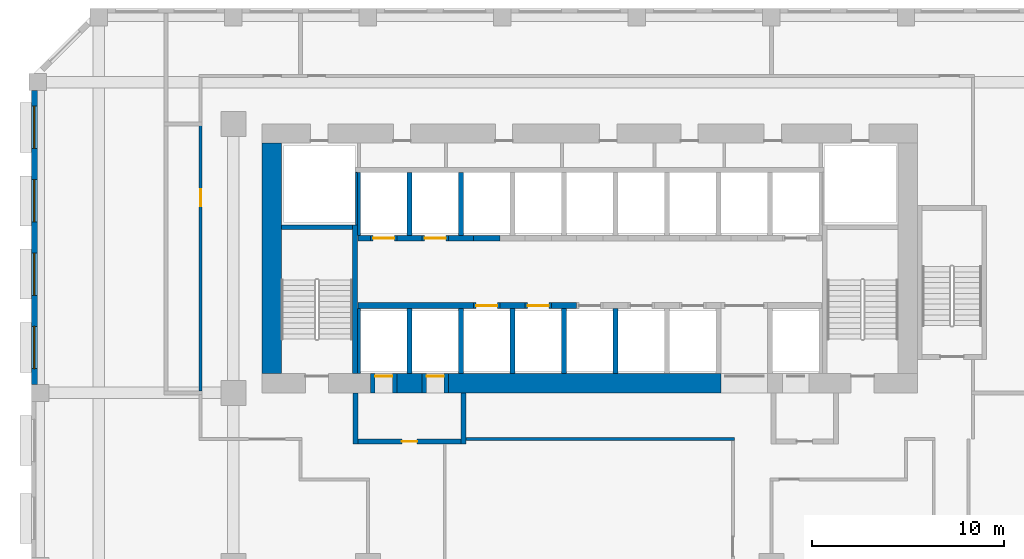
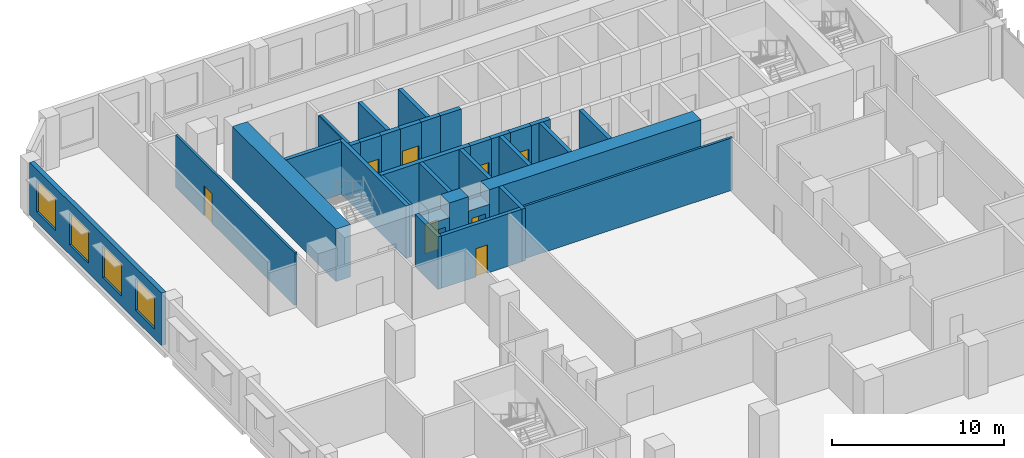
# One storey, part 12 of 24: 34 walls, 8 doors, 4 windows, 12 openings.
"""IFC4 building model written with IfcOpenShell, lengths in metres."""

from ifc_helpers import new_model, si_unit, direction, frame, frame_2d, origin, place, context, subcontext, project, spatial, rectangle, extrude, source, transform, mapped, material, layer, layer_set, type_object, element, fill, save


model = new_model("IFC4")

# Units and contexts
model_context = context("Model", 3, precision=1e-05, world=origin(), true_north=direction((0.0, 1.0)))
body_context = subcontext(model_context, "Body", "Model", "MODEL_VIEW")
ifc_project = project(units=[si_unit("LENGTHUNIT", "METRE"), si_unit("AREAUNIT", "SQUARE_METRE"), si_unit("VOLUMEUNIT", "CUBIC_METRE"), si_unit("PLANEANGLEUNIT", "RADIAN"), si_unit("MASSUNIT", "GRAM", prefix="KILO")], contexts=[model_context])

# Site, building, storey
site_placement = place(None, origin())
site = spatial("IfcSite", under=ifc_project, at=site_placement, CompositionType="ELEMENT")
building_placement = place(site_placement, origin())
building = spatial("IfcBuilding", under=site, at=building_placement, Name="Kilnfold Tower and Market Hall", CompositionType="ELEMENT")
storey_placement = place(building_placement, frame((0.0, 0.0, 35.0)))
storey = spatial("IfcBuildingStorey", under=building, at=storey_placement, Name="L07", CompositionType="ELEMENT", Elevation=35.0)

# Wall, opening, door
ifc_material_1 = material(Name="Gypsum board on steel studs", Category="steel")
ifc_layer_1 = layer(ifc_material_1, 0.14990234375)
ifc_layer_set_1 = layer_set([ifc_layer_1], Name="Gypsum board on steel studs")
wall_type_1 = type_object("IfcWallType", Name="WALL CORRIDOR 150", PredefinedType="PARTITIONING", material=ifc_layer_set_1)
wall_1_placement = place(storey_placement, frame((-19.199951171875, 8.090087890625, 0.0), z_axis=(0.0, 0.0, 1.0), x_axis=(0.0, 1.0, 0.0)))
wall_1 = element("IfcWall", 1, at=wall_1_placement, inside=storey, type_object=wall_type_1, Name="Partition LY07.34", PredefinedType="PARTITIONING", context=body_context, shape_type="SweptSolid", body=[
    extrude(rectangle(XDim=13.81982421875, YDim=0.14990234375, at=frame_2d((6.909912109375, 0.0))), origin(), (0.0, 0.0, 1.0), 3.719970703125),
])
opening_1_placement = place(wall_1_placement, frame((9.614990234375, 0.0, 0.0)))
opening_1 = element("IfcOpeningElement", 2, at=opening_1_placement, cuts=wall_1, Name="Opening D2", PredefinedType="OPENING", context=body_context, shape_type="SweptSolid", body=[
    extrude(rectangle(XDim=0.89990234375, YDim=2.10009765625, at=frame_2d((0.449951171875, 1.050048828125))), frame((0.0, 0.0849609375, 0.0), z_axis=(0.0, -1.0, 0.0), x_axis=(1.0, 0.0, 0.0)), (0.0, 0.0, 1.0), 0.169921875),
])
ifc_material_2 = material(Name="Timber veneer door leaf in steel frame", Category="steel")
door_type_1 = type_object("IfcDoorType", Name="DOOR ROOM 900 X2100", OperationType="NOTDEFINED", PredefinedType="DOOR", material=ifc_material_2)
door_1_placement = place(opening_1_placement, origin())
door_1 = element("IfcDoor", 3, at=door_1_placement, inside=storey, type_object=door_type_1, Name="Door D2", OperationType="SINGLE_SWING_RIGHT", OverallHeight=2.10009765625, OverallWidth=0.89990234375, PredefinedType="DOOR", context=body_context, shape_type="SweptSolid", body=[
    extrude(rectangle(XDim=0.89990234375, YDim=2.10009765625, at=frame_2d((0.449951171875, 1.050048828125))), frame((0.0, 0.02490234375, 0.0), z_axis=(0.0, -1.0, 0.0), x_axis=(1.0, 0.0, 0.0)), (0.0, 0.0, 1.0), 0.050048828125),
])
fill(opening_1, door_1)

# Walls
wall_2_placement = place(storey_placement, frame((-5.39990234375, 5.60009765625, 0.0), z_axis=(0.0, 0.0, 1.0), x_axis=(1.0, 0.0, 0.0)))
element("IfcWall", 4, at=wall_2_placement, inside=storey, type_object=wall_type_1, Name="Partition LY07.40", PredefinedType="PARTITIONING", context=body_context, shape_type="SweptSolid", body=[
    extrude(rectangle(XDim=13.974853515625, YDim=0.14990234375, at=frame_2d((6.9873046875, 0.0))), origin(), (0.0, 0.0, 1.0), 3.719970703125),
])
ifc_material_3 = material(Name="Concrete C80", Category="concrete")
ifc_layer_2 = layer(ifc_material_3, 1.0)
ifc_layer_set_2 = layer_set([ifc_layer_2], Name="Concrete C80")
wall_type_2 = type_object("IfcWallType", Name="CORE WALL 1000 C80", PredefinedType="SHEAR", material=ifc_layer_set_2)
shared_shape_1 = source(origin(), body_context, "Body", "SweptSolid", [
    extrude(rectangle(XDim=1.280029296875, YDim=1.0, at=frame_2d((0.64013671875, 0.0))), origin(), (0.0, 0.0, 1.0), 3.719970703125),
])
wall_3_placement = place(storey_placement, frame((-8.969970703125, 8.5, 0.0), z_axis=(0.0, 0.0, 1.0), x_axis=(1.0, 0.0, 0.0)))
element("IfcWall", 5, at=wall_3_placement, inside=storey, type_object=wall_type_2, Name="Core outer wall south", PredefinedType="SHEAR", context=body_context, shape_type="MappedRepresentation", body=[
    mapped(shared_shape_1, transform((0.0, 0.0, 0.0))),
])
shared_shape_2 = source(origin(), body_context, "Body", "SweptSolid", [
    extrude(rectangle(XDim=14.179931640625, YDim=1.0, at=frame_2d((7.08984375, 0.0))), origin(), (0.0, 0.0, 1.0), 3.719970703125),
])
wall_4_placement = place(storey_placement, frame((-6.2900390625, 8.5, 0.0), z_axis=(0.0, 0.0, 1.0), x_axis=(1.0, 0.0, 0.0)))
element("IfcWall", 6, at=wall_4_placement, inside=storey, type_object=wall_type_2, Name="Core outer wall south", PredefinedType="SHEAR", context=body_context, shape_type="MappedRepresentation", body=[
    mapped(shared_shape_2, transform((0.0, 0.0, 0.0))),
])
shared_shape_3 = source(origin(), body_context, "Body", "SweptSolid", [
    extrude(rectangle(XDim=12.0, YDim=1.0, at=frame_2d((6.0, 0.0))), origin(), (0.0, 0.0, 1.0), 3.719970703125),
])
wall_5_placement = place(storey_placement, frame((-15.5, 9.0, 0.0), z_axis=(0.0, 0.0, 1.0), x_axis=(0.0, 1.0, 0.0)))
element("IfcWall", 7, at=wall_5_placement, inside=storey, type_object=wall_type_2, Name="Core outer wall west", PredefinedType="SHEAR", context=body_context, shape_type="MappedRepresentation", body=[
    mapped(shared_shape_3, transform((0.0, 0.0, 0.0))),
])
ifc_material_4 = material(Name="Concrete C80", Category="concrete")
ifc_layer_3 = layer(ifc_material_4, 0.25)
ifc_layer_set_3 = layer_set([ifc_layer_3], Name="Concrete C80")
wall_type_3 = type_object("IfcWallType", Name="CORE WALL 250 C80", PredefinedType="SHEAR", material=ifc_layer_set_3)
shared_shape_4 = source(origin(), body_context, "Body", "SweptSolid", [
    extrude(rectangle(XDim=7.75, YDim=0.25, at=frame_2d((3.875, 0.0))), origin(), (0.0, 0.0, 1.0), 3.719970703125),
])
wall_6_placement = place(storey_placement, frame((-11.175048828125, 9.0, 0.0), z_axis=(0.0, 0.0, 1.0), x_axis=(0.0, 1.0, 0.0)))
element("IfcWall", 8, at=wall_6_placement, inside=storey, type_object=wall_type_3, Name="Stair enclosure ST1", PredefinedType="SHEAR", context=body_context, shape_type="MappedRepresentation", body=[
    mapped(shared_shape_4, transform((0.0, 0.0, 0.0))),
])
shared_shape_5 = source(origin(), body_context, "Body", "SweptSolid", [
    extrude(rectangle(XDim=3.699951171875, YDim=0.25, at=frame_2d((1.85009765625, 0.0))), origin(), (0.0, 0.0, 1.0), 3.719970703125),
])
wall_7_placement = place(storey_placement, frame((-15.0, 16.625, 0.0), z_axis=(0.0, 0.0, 1.0), x_axis=(1.0, 0.0, 0.0)))
element("IfcWall", 9, at=wall_7_placement, inside=storey, type_object=wall_type_3, Name="Stair enclosure ST1", PredefinedType="SHEAR", context=body_context, shape_type="MappedRepresentation", body=[
    mapped(shared_shape_5, transform((0.0, 0.0, 0.0))),
])
ifc_material_5 = material(Name="Concrete C80", Category="concrete")
ifc_layer_4 = layer(ifc_material_5, 0.300048828125)
ifc_layer_set_4 = layer_set([ifc_layer_4], Name="Concrete C80")
wall_type_4 = type_object("IfcWallType", Name="CORE WALL 300 C80", PredefinedType="SHEAR", material=ifc_layer_set_4)
shared_shape_6 = source(origin(), body_context, "Body", "SweptSolid", [
    extrude(rectangle(XDim=6.0, YDim=0.300048828125, at=frame_2d((3.0, 0.0))), origin(), (0.0, 0.0, 1.0), 3.719970703125),
])
wall_8_placement = place(storey_placement, frame((-11.010009765625, 12.550048828125, 0.0), z_axis=(0.0, 0.0, 1.0), x_axis=(1.0, 0.0, 0.0)))
element("IfcWall", 10, at=wall_8_placement, inside=storey, type_object=wall_type_4, Name="Core spine wall", PredefinedType="SHEAR", context=body_context, shape_type="MappedRepresentation", body=[
    mapped(shared_shape_6, transform((0.0, 0.0, 0.0))),
])
shared_shape_7 = source(origin(), body_context, "Body", "SweptSolid", [
    extrude(rectangle(XDim=1.280029296875, YDim=0.300048828125, at=frame_2d((0.64013671875, 0.0))), origin(), (0.0, 0.0, 1.0), 3.719970703125),
])
for number, where, z_axis, x_axis, name in (
    (11, (-3.610107421875, 12.550048828125, 0.0), (0.0, 0.0, 1.0), (1.0, 0.0, 0.0), "Core spine wall"),
    (12, (-0.929931640625, 12.550048828125, 0.0), (0.0, 0.0, 1.0), (1.0, 0.0, 0.0), "Core spine wall"),
    (13, (-8.969970703125, 16.050048828125, 0.0), (0.0, 0.0, 1.0), (1.0, 0.0, 0.0), "Core spine wall"),
    (14, (-6.2900390625, 16.050048828125, 0.0), (0.0, 0.0, 1.0), (1.0, 0.0, 0.0), "Core spine wall"),
):
    element("IfcWall", number, at=place(storey_placement, frame(where, z_axis=z_axis, x_axis=x_axis)), inside=storey, type_object=wall_type_4, Name=name, PredefinedType="SHEAR", context=body_context, shape_type="MappedRepresentation", body=[
        mapped(shared_shape_7, transform((0.0, 0.0, 0.0))),
    ])
shared_shape_8 = source(origin(), body_context, "Body", "SweptSolid", [
    extrude(rectangle(XDim=0.639892578125, YDim=0.300048828125, at=frame_2d((0.31982421875, 0.0))), origin(), (0.0, 0.0, 1.0), 3.719970703125),
])
wall_9_placement = place(storey_placement, frame((-11.010009765625, 16.050048828125, 0.0), z_axis=(0.0, 0.0, 1.0), x_axis=(1.0, 0.0, 0.0)))
element("IfcWall", 15, at=wall_9_placement, inside=storey, type_object=wall_type_4, Name="Core spine wall", PredefinedType="SHEAR", context=body_context, shape_type="MappedRepresentation", body=[
    mapped(shared_shape_8, transform((0.0, 0.0, 0.0))),
])

# Wall, openings, windows
ifc_material_6 = material(Name="Precast concrete C50/60", Category="concrete")
ifc_layer_5 = layer(ifc_material_6, 0.300048828125)
ifc_layer_set_5 = layer_set([ifc_layer_5], Name="Precast concrete C50/60")
wall_type_5 = type_object("IfcWallType", Name="PRECAST WALL 300", PredefinedType="SOLIDWALL", material=ifc_layer_set_5)
shared_shape_9 = source(origin(), body_context, "Body", "SweptSolid", [
    extrude(rectangle(XDim=15.28173828125, YDim=0.300048828125, at=frame_2d((7.640869140625, 0.0))), origin(), (0.0, 0.0, 1.0), 3.719970703125),
])
wall_10_placement = place(storey_placement, frame((-27.85009765625, 23.731689453125, 0.0), z_axis=(0.0, 0.0, 1.0), x_axis=(0.0, -1.0, 0.0)))
wall_10 = element("IfcWall", 16, at=wall_10_placement, inside=storey, type_object=wall_type_5, Name="External wall L07 W", PredefinedType="SOLIDWALL", context=body_context, shape_type="MappedRepresentation", body=[
    mapped(shared_shape_9, transform((0.0, 0.0, 0.0))),
])
opening_2_placement = place(wall_10_placement, frame((0.810302734375, 0.0, 0.699951171875)))
opening_2 = element("IfcOpeningElement", 17, at=opening_2_placement, cuts=wall_10, Name="Opening W1", PredefinedType="OPENING", context=body_context, shape_type="SweptSolid", body=[
    extrude(rectangle(XDim=2.199951171875, YDim=2.25, at=frame_2d((1.10009765625, 1.125))), frame((0.0, 0.16015625, 0.0), z_axis=(0.0, -1.0, 0.0), x_axis=(1.0, 0.0, 0.0)), (0.0, 0.0, 1.0), 0.320068359375),
])
opening_3_placement = place(wall_10_placement, frame((4.630615234375, 0.0, 0.699951171875)))
opening_3 = element("IfcOpeningElement", 18, at=opening_3_placement, cuts=wall_10, Name="Opening W1", PredefinedType="OPENING", context=body_context, shape_type="SweptSolid", body=[
    extrude(rectangle(XDim=2.199951171875, YDim=2.25, at=frame_2d((1.10009765625, 1.125))), frame((0.0, 0.16015625, 0.0), z_axis=(0.0, -1.0, 0.0), x_axis=(1.0, 0.0, 0.0)), (0.0, 0.0, 1.0), 0.320068359375),
])
opening_4_placement = place(wall_10_placement, frame((8.451171875, 0.0, 0.699951171875)))
opening_4 = element("IfcOpeningElement", 19, at=opening_4_placement, cuts=wall_10, Name="Opening W1", PredefinedType="OPENING", context=body_context, shape_type="SweptSolid", body=[
    extrude(rectangle(XDim=2.199951171875, YDim=2.25, at=frame_2d((1.10009765625, 1.125))), frame((0.0, 0.16015625, 0.0), z_axis=(0.0, -1.0, 0.0), x_axis=(1.0, 0.0, 0.0)), (0.0, 0.0, 1.0), 0.320068359375),
])
opening_5_placement = place(wall_10_placement, frame((12.271484375, 0.0, 0.699951171875)))
opening_5 = element("IfcOpeningElement", 20, at=opening_5_placement, cuts=wall_10, Name="Opening W1", PredefinedType="OPENING", context=body_context, shape_type="SweptSolid", body=[
    extrude(rectangle(XDim=2.199951171875, YDim=2.25, at=frame_2d((1.10009765625, 1.125))), frame((0.0, 0.16015625, 0.0), z_axis=(0.0, -1.0, 0.0), x_axis=(1.0, 0.0, 0.0)), (0.0, 0.0, 1.0), 0.320068359375),
])
ifc_material_7 = material(Name="Aluminium frame and double glazing", Category="aluminium")
window_type = type_object("IfcWindowType", Name="WINDOW W1 2200X2250", PartitioningType="SINGLE_PANEL", PredefinedType="WINDOW", material=ifc_material_7)
window_1_placement = place(opening_2_placement, origin())
window_1 = element("IfcWindow", 21, at=window_1_placement, inside=storey, type_object=window_type, Name="Window W1 L07 W-1", OverallHeight=2.25, OverallWidth=2.199951171875, PartitioningType="SINGLE_PANEL", PredefinedType="WINDOW", context=body_context, shape_type="SweptSolid", body=[
    extrude(rectangle(XDim=2.199951171875, YDim=2.25, at=frame_2d((1.10009765625, 1.125))), frame((0.0, 0.030029296875, 0.0), z_axis=(0.0, -1.0, 0.0), x_axis=(1.0, 0.0, 0.0)), (0.0, 0.0, 1.0), 0.06005859375),
])
fill(opening_2, window_1)
window_2_placement = place(opening_3_placement, origin())
window_2 = element("IfcWindow", 22, at=window_2_placement, inside=storey, type_object=window_type, Name="Window W1 L07 W-2", OverallHeight=2.25, OverallWidth=2.199951171875, PartitioningType="SINGLE_PANEL", PredefinedType="WINDOW", context=body_context, shape_type="SweptSolid", body=[
    extrude(rectangle(XDim=2.199951171875, YDim=2.25, at=frame_2d((1.10009765625, 1.125))), frame((0.0, 0.030029296875, 0.0), z_axis=(0.0, -1.0, 0.0), x_axis=(1.0, 0.0, 0.0)), (0.0, 0.0, 1.0), 0.06005859375),
])
fill(opening_3, window_2)
window_3_placement = place(opening_4_placement, origin())
window_3 = element("IfcWindow", 23, at=window_3_placement, inside=storey, type_object=window_type, Name="Window W1 L07 W-3", OverallHeight=2.25, OverallWidth=2.199951171875, PartitioningType="SINGLE_PANEL", PredefinedType="WINDOW", context=body_context, shape_type="SweptSolid", body=[
    extrude(rectangle(XDim=2.199951171875, YDim=2.25, at=frame_2d((1.10009765625, 1.125))), frame((0.0, 0.030029296875, 0.0), z_axis=(0.0, -1.0, 0.0), x_axis=(1.0, 0.0, 0.0)), (0.0, 0.0, 1.0), 0.06005859375),
])
fill(opening_4, window_3)
window_4_placement = place(opening_5_placement, origin())
window_4 = element("IfcWindow", 24, at=window_4_placement, inside=storey, type_object=window_type, Name="Window W1 L07 W-4", OverallHeight=2.25, OverallWidth=2.199951171875, PartitioningType="SINGLE_PANEL", PredefinedType="WINDOW", context=body_context, shape_type="SweptSolid", body=[
    extrude(rectangle(XDim=2.199951171875, YDim=2.25, at=frame_2d((1.10009765625, 1.125))), frame((0.0, 0.030029296875, 0.0), z_axis=(0.0, -1.0, 0.0), x_axis=(1.0, 0.0, 0.0)), (0.0, 0.0, 1.0), 0.06005859375),
])
fill(opening_5, window_4)

# Wall, opening, door
ifc_material_8 = material(Name="Gypsum shaft wall system")
ifc_layer_6 = layer(ifc_material_8, 1.0)
ifc_layer_set_6 = layer_set([ifc_layer_6], Name="Gypsum shaft wall system")
wall_type_6 = type_object("IfcWallType", Name="LOBBY WALL 1000", PredefinedType="PARTITIONING", material=ifc_layer_set_6)
shared_shape_10 = source(origin(), body_context, "Body", "SweptSolid", [
    extrude(rectangle(XDim=1.400146484375, YDim=1.0, at=frame_2d((0.7001953125, 0.0))), origin(), (0.0, 0.0, 1.0), 2.699951171875),
])
wall_11_placement = place(storey_placement, frame((-10.3701171875, 8.5, 0.0), z_axis=(0.0, 0.0, 1.0), x_axis=(1.0, 0.0, 0.0)))
wall_11 = element("IfcWall", 25, at=wall_11_placement, inside=storey, type_object=wall_type_6, Name="Core wall infill", PredefinedType="PARTITIONING", context=body_context, shape_type="MappedRepresentation", body=[
    mapped(shared_shape_10, transform((0.0, 0.0, 0.0))),
])
opening_6_placement = place(wall_11_placement, frame((0.25, 0.0, 0.0)))
opening_6 = element("IfcOpeningElement", 26, at=opening_6_placement, cuts=wall_11, Name="Opening LD1", PredefinedType="OPENING", context=body_context, shape_type="SweptSolid", body=[
    extrude(rectangle(XDim=0.89990234375, YDim=2.10009765625, at=frame_2d((0.449951171875, 1.050048828125))), frame((0.0, 0.510009765625, 0.0), z_axis=(0.0, -1.0, 0.0), x_axis=(1.0, 0.0, 0.0)), (0.0, 0.0, 1.0), 1.02001953125),
])
ifc_material_9 = material(Name="Steel door set with fire-resisting leaf", Category="steel")
door_type_2 = type_object("IfcDoorType", Name="FIREFIGHTING LANDING DOOR 900X2100", OperationType="NOTDEFINED", PredefinedType="DOOR", material=ifc_material_9)
door_2_placement = place(opening_6_placement, origin())
door_2 = element("IfcDoor", 27, at=door_2_placement, inside=storey, type_object=door_type_2, Name="Landing door FF1", OperationType="SLIDING_TO_LEFT", OverallHeight=2.10009765625, OverallWidth=0.89990234375, PredefinedType="DOOR", context=body_context, shape_type="SweptSolid", body=[
    extrude(rectangle(XDim=0.89990234375, YDim=2.10009765625, at=frame_2d((0.449951171875, 1.050048828125))), frame((0.0, 0.40478515625, 0.0), z_axis=(0.0, -1.0, 0.0), x_axis=(1.0, 0.0, 0.0)), (0.0, 0.0, 1.0), 0.050048828125),
])
fill(opening_6, door_2)

shared_shape_11 = source(origin(), body_context, "Body", "SweptSolid", [
    extrude(rectangle(XDim=1.39990234375, YDim=1.0, at=frame_2d((0.699951171875, 0.0))), origin(), (0.0, 0.0, 1.0), 2.699951171875),
])
wall_12_placement = place(storey_placement, frame((-7.68994140625, 8.5, 0.0), z_axis=(0.0, 0.0, 1.0), x_axis=(1.0, 0.0, 0.0)))
wall_12 = element("IfcWall", 28, at=wall_12_placement, inside=storey, type_object=wall_type_6, Name="Core wall infill", PredefinedType="PARTITIONING", context=body_context, shape_type="MappedRepresentation", body=[
    mapped(shared_shape_11, transform((0.0, 0.0, 0.0))),
])
opening_7_placement = place(wall_12_placement, frame((0.25, 0.0, 0.0)))
opening_7 = element("IfcOpeningElement", 29, at=opening_7_placement, cuts=wall_12, Name="Opening LD1", PredefinedType="OPENING", context=body_context, shape_type="SweptSolid", body=[
    extrude(rectangle(XDim=0.89990234375, YDim=2.10009765625, at=frame_2d((0.449951171875, 1.050048828125))), frame((0.0, 0.510009765625, 0.0), z_axis=(0.0, -1.0, 0.0), x_axis=(1.0, 0.0, 0.0)), (0.0, 0.0, 1.0), 1.02001953125),
])
door_3_placement = place(opening_7_placement, origin())
door_3 = element("IfcDoor", 30, at=door_3_placement, inside=storey, type_object=door_type_2, Name="Landing door FF2", OperationType="SLIDING_TO_RIGHT", OverallHeight=2.10009765625, OverallWidth=0.89990234375, PredefinedType="DOOR", context=body_context, shape_type="SweptSolid", body=[
    extrude(rectangle(XDim=0.89990234375, YDim=2.10009765625, at=frame_2d((0.449951171875, 1.050048828125))), frame((0.0, 0.40478515625, 0.0), z_axis=(0.0, -1.0, 0.0), x_axis=(1.0, 0.0, 0.0)), (0.0, 0.0, 1.0), 0.050048828125),
])
fill(opening_7, door_3)

ifc_material_10 = material(Name="Gypsum shaft wall system")
ifc_layer_7 = layer(ifc_material_10, 0.300048828125)
ifc_layer_set_7 = layer_set([ifc_layer_7], Name="Gypsum shaft wall system")
wall_type_7 = type_object("IfcWallType", Name="SHAFT WALL 300", PredefinedType="PARTITIONING", material=ifc_layer_set_7)
shared_shape_12 = source(origin(), body_context, "Body", "SweptSolid", [
    extrude(rectangle(XDim=1.39990234375, YDim=0.300048828125, at=frame_2d((0.699951171875, 0.0))), origin(), (0.0, 0.0, 1.0), 3.719970703125),
])
wall_13_placement = place(storey_placement, frame((-5.010009765625, 12.550048828125, 0.0), z_axis=(0.0, 0.0, 1.0), x_axis=(1.0, 0.0, 0.0)))
wall_13 = element("IfcWall", 31, at=wall_13_placement, inside=storey, type_object=wall_type_7, Name="Lift shaft front wall", PredefinedType="PARTITIONING", context=body_context, shape_type="MappedRepresentation", body=[
    mapped(shared_shape_12, transform((0.0, 0.0, 0.0))),
])
opening_8_placement = place(wall_13_placement, frame((0.14990234375, 0.0, 0.0)))
opening_8 = element("IfcOpeningElement", 32, at=opening_8_placement, cuts=wall_13, Name="Opening LD2", PredefinedType="OPENING", context=body_context, shape_type="SweptSolid", body=[
    extrude(rectangle(XDim=1.10009765625, YDim=2.10009765625, at=frame_2d((0.550048828125, 1.050048828125))), frame((0.0, 0.16015625, 0.0), z_axis=(0.0, -1.0, 0.0), x_axis=(1.0, 0.0, 0.0)), (0.0, 0.0, 1.0), 0.320068359375),
])
ifc_material_11 = material(Name="Steel door set with fire-resisting leaf", Category="steel")
door_type_3 = type_object("IfcDoorType", Name="LANDING DOOR 1100X2100", OperationType="NOTDEFINED", PredefinedType="DOOR", material=ifc_material_11)
door_4_placement = place(opening_8_placement, origin())
door_4 = element("IfcDoor", 33, at=door_4_placement, inside=storey, type_object=door_type_3, Name="Landing door LR1", OperationType="DOUBLE_DOOR_SLIDING", OverallHeight=2.10009765625, OverallWidth=1.10009765625, PredefinedType="DOOR", context=body_context, shape_type="SweptSolid", body=[
    extrude(rectangle(XDim=1.10009765625, YDim=2.10009765625, at=frame_2d((0.550048828125, 1.050048828125))), frame((0.0, 0.02490234375, 0.0), z_axis=(0.0, -1.0, 0.0), x_axis=(1.0, 0.0, 0.0)), (0.0, 0.0, 1.0), 0.050048828125),
])
fill(opening_8, door_4)

wall_14_placement = place(storey_placement, frame((-7.68994140625, 16.050048828125, 0.0), z_axis=(0.0, 0.0, 1.0), x_axis=(1.0, 0.0, 0.0)))
wall_14 = element("IfcWall", 34, at=wall_14_placement, inside=storey, type_object=wall_type_7, Name="Lift shaft front wall", PredefinedType="PARTITIONING", context=body_context, shape_type="MappedRepresentation", body=[
    mapped(shared_shape_12, transform((0.0, 0.0, 0.0))),
])
opening_9_placement = place(wall_14_placement, frame((0.14990234375, 0.0, 0.0)))
opening_9 = element("IfcOpeningElement", 35, at=opening_9_placement, cuts=wall_14, Name="Opening LD2", PredefinedType="OPENING", context=body_context, shape_type="SweptSolid", body=[
    extrude(rectangle(XDim=1.10009765625, YDim=2.10009765625, at=frame_2d((0.550048828125, 1.050048828125))), frame((0.0, 0.16015625, 0.0), z_axis=(0.0, -1.0, 0.0), x_axis=(1.0, 0.0, 0.0)), (0.0, 0.0, 1.0), 0.320068359375),
])
door_5_placement = place(opening_9_placement, origin())
door_5 = element("IfcDoor", 36, at=door_5_placement, inside=storey, type_object=door_type_3, Name="Landing door LR8", OperationType="DOUBLE_DOOR_SLIDING", OverallHeight=2.10009765625, OverallWidth=1.10009765625, PredefinedType="DOOR", context=body_context, shape_type="SweptSolid", body=[
    extrude(rectangle(XDim=1.10009765625, YDim=2.10009765625, at=frame_2d((0.550048828125, 1.050048828125))), frame((0.0, 0.02490234375, 0.0), z_axis=(0.0, -1.0, 0.0), x_axis=(1.0, 0.0, 0.0)), (0.0, 0.0, 1.0), 0.050048828125),
])
fill(opening_9, door_5)

# Wall
wall_15_placement = place(storey_placement, frame((-5.010009765625, 16.050048828125, 0.0), z_axis=(0.0, 0.0, 1.0), x_axis=(1.0, 0.0, 0.0)))
element("IfcWall", 37, at=wall_15_placement, inside=storey, type_object=wall_type_7, Name="Lift shaft front wall", PredefinedType="PARTITIONING", context=body_context, shape_type="MappedRepresentation", body=[
    mapped(shared_shape_12, transform((0.0, 0.0, 0.0))),
])

# Wall, opening, door
shared_shape_13 = source(origin(), body_context, "Body", "SweptSolid", [
    extrude(rectangle(XDim=1.400146484375, YDim=0.300048828125, at=frame_2d((0.7001953125, 0.0))), origin(), (0.0, 0.0, 1.0), 3.719970703125),
])
wall_16_placement = place(storey_placement, frame((-2.330078125, 12.550048828125, 0.0), z_axis=(0.0, 0.0, 1.0), x_axis=(1.0, 0.0, 0.0)))
wall_16 = element("IfcWall", 38, at=wall_16_placement, inside=storey, type_object=wall_type_7, Name="Lift shaft front wall", PredefinedType="PARTITIONING", context=body_context, shape_type="MappedRepresentation", body=[
    mapped(shared_shape_13, transform((0.0, 0.0, 0.0))),
])
opening_10_placement = place(wall_16_placement, frame((0.14990234375, 0.0, 0.0)))
opening_10 = element("IfcOpeningElement", 39, at=opening_10_placement, cuts=wall_16, Name="Opening LD2", PredefinedType="OPENING", context=body_context, shape_type="SweptSolid", body=[
    extrude(rectangle(XDim=1.10009765625, YDim=2.10009765625, at=frame_2d((0.550048828125, 1.050048828125))), frame((0.0, 0.16015625, 0.0), z_axis=(0.0, -1.0, 0.0), x_axis=(1.0, 0.0, 0.0)), (0.0, 0.0, 1.0), 0.320068359375),
])
door_6_placement = place(opening_10_placement, origin())
door_6 = element("IfcDoor", 40, at=door_6_placement, inside=storey, type_object=door_type_3, Name="Landing door LR2", OperationType="DOUBLE_DOOR_SLIDING", OverallHeight=2.10009765625, OverallWidth=1.10009765625, PredefinedType="DOOR", context=body_context, shape_type="SweptSolid", body=[
    extrude(rectangle(XDim=1.10009765625, YDim=2.10009765625, at=frame_2d((0.550048828125, 1.050048828125))), frame((0.0, 0.02490234375, 0.0), z_axis=(0.0, -1.0, 0.0), x_axis=(1.0, 0.0, 0.0)), (0.0, 0.0, 1.0), 0.050048828125),
])
fill(opening_10, door_6)

wall_17_placement = place(storey_placement, frame((-10.3701171875, 16.050048828125, 0.0), z_axis=(0.0, 0.0, 1.0), x_axis=(1.0, 0.0, 0.0)))
wall_17 = element("IfcWall", 41, at=wall_17_placement, inside=storey, type_object=wall_type_7, Name="Lift shaft front wall", PredefinedType="PARTITIONING", context=body_context, shape_type="MappedRepresentation", body=[
    mapped(shared_shape_13, transform((0.0, 0.0, 0.0))),
])
opening_11_placement = place(wall_17_placement, frame((0.14990234375, 0.0, 0.0)))
opening_11 = element("IfcOpeningElement", 42, at=opening_11_placement, cuts=wall_17, Name="Opening LD2", PredefinedType="OPENING", context=body_context, shape_type="SweptSolid", body=[
    extrude(rectangle(XDim=1.10009765625, YDim=2.10009765625, at=frame_2d((0.550048828125, 1.050048828125))), frame((0.0, 0.16015625, 0.0), z_axis=(0.0, -1.0, 0.0), x_axis=(1.0, 0.0, 0.0)), (0.0, 0.0, 1.0), 0.320068359375),
])
door_7_placement = place(opening_11_placement, origin())
door_7 = element("IfcDoor", 43, at=door_7_placement, inside=storey, type_object=door_type_3, Name="Landing door LR7", OperationType="DOUBLE_DOOR_SLIDING", OverallHeight=2.10009765625, OverallWidth=1.10009765625, PredefinedType="DOOR", context=body_context, shape_type="SweptSolid", body=[
    extrude(rectangle(XDim=1.10009765625, YDim=2.10009765625, at=frame_2d((0.550048828125, 1.050048828125))), frame((0.0, 0.02490234375, 0.0), z_axis=(0.0, -1.0, 0.0), x_axis=(1.0, 0.0, 0.0)), (0.0, 0.0, 1.0), 0.050048828125),
])
fill(opening_11, door_7)

# Walls
ifc_material_12 = material(Name="Gypsum shaft wall system")
ifc_layer_8 = layer(ifc_material_12, 0.25)
ifc_layer_set_8 = layer_set([ifc_layer_8], Name="Gypsum shaft wall system")
wall_type_8 = type_object("IfcWallType", Name="LOBBY WALL 250", PredefinedType="PARTITIONING", material=ifc_layer_set_8)
shared_shape_14 = source(origin(), body_context, "Body", "SweptSolid", [
    extrude(rectangle(XDim=2.64990234375, YDim=0.25, at=frame_2d((1.324951171875, 0.0))), origin(), (0.0, 0.0, 1.0), 3.719970703125),
])
for number, where, z_axis, x_axis, name in (
    (44, (-11.135009765625, 5.35009765625, 0.0), (0.0, 0.0, 1.0), (0.0, 1.0, 0.0), "Firefighting lobby wall"),
    (45, (-5.52490234375, 5.35009765625, 0.0), (0.0, 0.0, 1.0), (0.0, 1.0, 0.0), "Firefighting lobby wall"),
):
    element("IfcWall", number, at=place(storey_placement, frame(where, z_axis=z_axis, x_axis=x_axis)), inside=storey, type_object=wall_type_8, Name=name, PredefinedType="PARTITIONING", context=body_context, shape_type="MappedRepresentation", body=[
        mapped(shared_shape_14, transform((0.0, 0.0, 0.0))),
    ])

# Wall, opening, door
shared_shape_15 = source(origin(), body_context, "Body", "SweptSolid", [
    extrude(rectangle(XDim=5.360107421875, YDim=0.25, at=frame_2d((2.68017578125, 0.0))), origin(), (0.0, 0.0, 1.0), 3.719970703125),
])
wall_18_placement = place(storey_placement, frame((-11.010009765625, 5.47509765625, 0.0), z_axis=(0.0, 0.0, 1.0), x_axis=(1.0, 0.0, 0.0)))
wall_18 = element("IfcWall", 46, at=wall_18_placement, inside=storey, type_object=wall_type_8, Name="Firefighting lobby wall", PredefinedType="PARTITIONING", context=body_context, shape_type="MappedRepresentation", body=[
    mapped(shared_shape_15, transform((0.0, 0.0, 0.0))),
])
opening_12_placement = place(wall_18_placement, frame((2.280029296875, 0.0, 0.0)))
opening_12 = element("IfcOpeningElement", 47, at=opening_12_placement, cuts=wall_18, Name="Opening VD1", PredefinedType="OPENING", context=body_context, shape_type="SweptSolid", body=[
    extrude(rectangle(XDim=0.800048828125, YDim=2.0, at=frame_2d((0.39990234375, 1.0))), frame((0.0, 0.135009765625, 0.0), z_axis=(0.0, -1.0, 0.0), x_axis=(1.0, 0.0, 0.0)), (0.0, 0.0, 1.0), 0.27001953125),
])
ifc_material_13 = material(Name="Steel door set with fire-resisting leaf", Category="steel")
door_type_4 = type_object("IfcDoorType", Name="FIREFIGHTING LOBBY DOOR 800X2000", OperationType="NOTDEFINED", PredefinedType="DOOR", material=ifc_material_13)
door_8_placement = place(opening_12_placement, origin())
door_8 = element("IfcDoor", 48, at=door_8_placement, inside=storey, type_object=door_type_4, Name="Firefighting lobby door", OperationType="SINGLE_SWING_LEFT", OverallHeight=2.0, OverallWidth=0.800048828125, PredefinedType="DOOR", context=body_context, shape_type="SweptSolid", body=[
    extrude(rectangle(XDim=0.800048828125, YDim=2.0, at=frame_2d((0.39990234375, 1.0))), frame((0.0, 0.02490234375, 0.0), z_axis=(0.0, -1.0, 0.0), x_axis=(1.0, 0.0, 0.0)), (0.0, 0.0, 1.0), 0.050048828125),
])
fill(opening_12, door_8)

# Walls
ifc_material_14 = material(Name="Gypsum shaft wall system")
ifc_layer_9 = layer(ifc_material_14, 0.1650390625)
ifc_layer_set_9 = layer_set([ifc_layer_9], Name="Gypsum shaft wall system")
wall_type_9 = type_object("IfcWallType", Name="SHAFT WALL 165", PredefinedType="PARTITIONING", material=ifc_layer_set_9)
shared_shape_16 = source(origin(), body_context, "Body", "SweptSolid", [
    extrude(rectangle(XDim=3.275146484375, YDim=0.1650390625, at=frame_2d((1.6376953125, 0.0))), origin(), (0.0, 0.0, 1.0), 3.719970703125),
])
wall_19_placement = place(storey_placement, frame((-10.967529296875, 16.199951171875, 0.0), z_axis=(0.0, 0.0, 1.0), x_axis=(0.0, 1.0, 0.0)))
element("IfcWall", 49, at=wall_19_placement, inside=storey, type_object=wall_type_9, Name="Lift shaft wall", PredefinedType="PARTITIONING", context=body_context, shape_type="MappedRepresentation", body=[
    mapped(shared_shape_16, transform((0.0, 0.0, 0.0))),
])
ifc_material_15 = material(Name="Gypsum shaft wall system")
ifc_layer_10 = layer(ifc_material_15, 0.25)
ifc_layer_set_10 = layer_set([ifc_layer_10], Name="Gypsum shaft wall system")
wall_type_10 = type_object("IfcWallType", Name="SHAFT WALL 250", PredefinedType="PARTITIONING", material=ifc_layer_set_10)
shared_shape_17 = source(origin(), body_context, "Body", "SweptSolid", [
    extrude(rectangle(XDim=3.275146484375, YDim=0.25, at=frame_2d((1.6376953125, 0.0))), origin(), (0.0, 0.0, 1.0), 3.719970703125),
])
for number, where, z_axis, x_axis, name in (
    (50, (-5.64990234375, 16.199951171875, 0.0), (0.0, 0.0, 1.0), (0.0, 1.0, 0.0), "Lift shaft wall"),
    (51, (-8.330078125, 16.199951171875, 0.0), (0.0, 0.0, 1.0), (0.0, 1.0, 0.0), "Lift shaft wall"),
):
    element("IfcWall", number, at=place(storey_placement, frame(where, z_axis=z_axis, x_axis=x_axis)), inside=storey, type_object=wall_type_10, Name=name, PredefinedType="PARTITIONING", context=body_context, shape_type="MappedRepresentation", body=[
        mapped(shared_shape_17, transform((0.0, 0.0, 0.0))),
    ])
ifc_material_16 = material(Name="Gypsum shaft wall system")
ifc_layer_11 = layer(ifc_material_16, 0.0849609375)
ifc_layer_set_11 = layer_set([ifc_layer_11], Name="Gypsum shaft wall system")
wall_type_11 = type_object("IfcWallType", Name="SHAFT WALL 85", PredefinedType="PARTITIONING", material=ifc_layer_set_11)
shared_shape_18 = source(origin(), body_context, "Body", "SweptSolid", [
    extrude(rectangle(XDim=2.72509765625, YDim=0.0849609375, at=frame_2d((1.362548828125, 0.0))), origin(), (0.0, 0.0, 1.0), 3.719970703125),
])
wall_20_placement = place(storey_placement, frame((-11.092529296875, 16.75, 0.0), z_axis=(0.0, 0.0, 1.0), x_axis=(0.0, 1.0, 0.0)))
element("IfcWall", 52, at=wall_20_placement, inside=storey, type_object=wall_type_11, Name="Lift shaft wall", PredefinedType="PARTITIONING", context=body_context, shape_type="MappedRepresentation", body=[
    mapped(shared_shape_18, transform((0.0, 0.0, 0.0))),
])
shared_shape_19 = source(origin(), body_context, "Body", "SweptSolid", [
    extrude(rectangle(XDim=3.39990234375, YDim=0.25, at=frame_2d((1.699951171875, 0.0))), origin(), (0.0, 0.0, 1.0), 3.719970703125),
])
for number, where, z_axis, x_axis, name in (
    (53, (2.389892578125, 9.0, 0.0), (0.0, 0.0, 1.0), (0.0, 1.0, 0.0), "Lift shaft wall"),
    (54, (-0.2900390625, 9.0, 0.0), (0.0, 0.0, 1.0), (0.0, 1.0, 0.0), "Lift shaft wall"),
    (55, (-2.969970703125, 9.0, 0.0), (0.0, 0.0, 1.0), (0.0, 1.0, 0.0), "Lift shaft wall"),
    (56, (-5.64990234375, 9.0, 0.0), (0.0, 0.0, 1.0), (0.0, 1.0, 0.0), "Lift shaft wall"),
    (57, (-8.330078125, 9.0, 0.0), (0.0, 0.0, 1.0), (0.0, 1.0, 0.0), "Lift shaft wall"),
):
    element("IfcWall", number, at=place(storey_placement, frame(where, z_axis=z_axis, x_axis=x_axis)), inside=storey, type_object=wall_type_10, Name=name, PredefinedType="PARTITIONING", context=body_context, shape_type="MappedRepresentation", body=[
        mapped(shared_shape_19, transform((0.0, 0.0, 0.0))),
    ])
shared_shape_20 = source(origin(), body_context, "Body", "SweptSolid", [
    extrude(rectangle(XDim=3.39990234375, YDim=0.1650390625, at=frame_2d((1.699951171875, 0.0))), origin(), (0.0, 0.0, 1.0), 3.719970703125),
])
wall_21_placement = place(storey_placement, frame((-10.967529296875, 9.0, 0.0), z_axis=(0.0, 0.0, 1.0), x_axis=(0.0, 1.0, 0.0)))
element("IfcWall", 58, at=wall_21_placement, inside=storey, type_object=wall_type_9, Name="Lift shaft wall", PredefinedType="PARTITIONING", context=body_context, shape_type="MappedRepresentation", body=[
    mapped(shared_shape_20, transform((0.0, 0.0, 0.0))),
])

save(model, "model.ifc")
